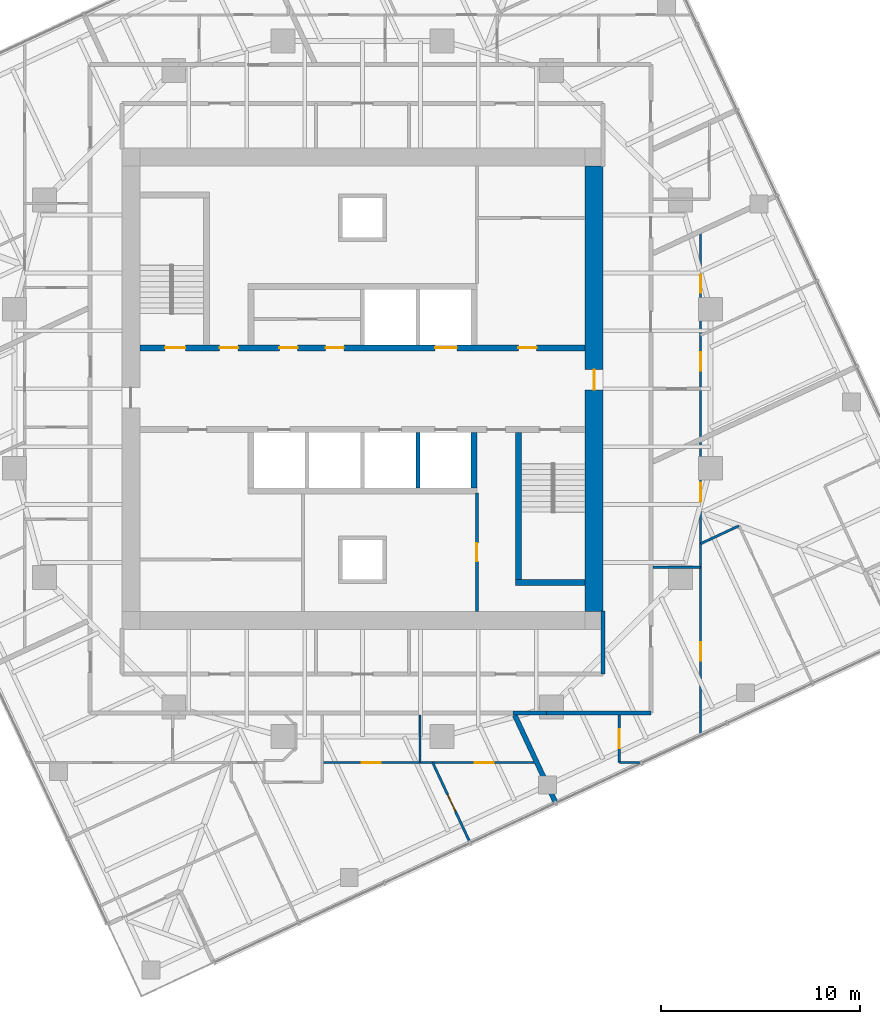
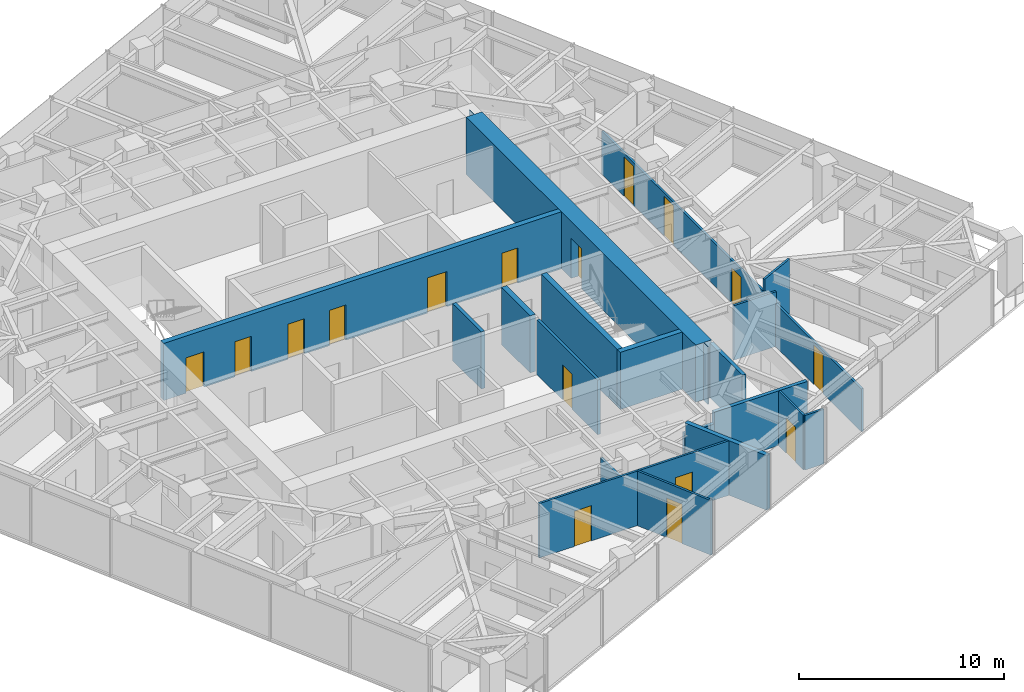
# One storey, part 9 of 13: 19 walls, 16 doors, 16 openings.
"""IFC4 building model written with IfcOpenShell, lengths in metres."""

from ifc_helpers import new_model, si_unit, direction, frame, frame_2d, origin, place, context, subcontext, project, spatial, polyline, rectangle, outline, extrude, material, layer, layer_set, type_object, element, fill, save


model = new_model("IFC4")

# Units and contexts
model_context = context("Model", 3, precision=1e-05, world=origin(), true_north=direction((0.0, 1.0)))
body_context = subcontext(model_context, "Body", "Model", "MODEL_VIEW")
ifc_project = project(units=[si_unit("LENGTHUNIT", "METRE"), si_unit("AREAUNIT", "SQUARE_METRE"), si_unit("VOLUMEUNIT", "CUBIC_METRE"), si_unit("PLANEANGLEUNIT", "RADIAN"), si_unit("MASSUNIT", "GRAM", prefix="KILO")], contexts=[model_context])

# Site, building, storey
site_placement = place(None, origin())
site = spatial("IfcSite", under=ifc_project, at=site_placement, CompositionType="ELEMENT")
building_placement = place(site_placement, origin())
building = spatial("IfcBuilding", under=site, at=building_placement, Name="Torsade Residences", CompositionType="ELEMENT")
storey_placement = place(building_placement, frame((0.0, 0.0, 182.800048828125)))
storey = spatial("IfcBuildingStorey", under=building, at=storey_placement, Name="L50", CompositionType="ELEMENT", Elevation=182.800048828125)

# Wall, openings, doors
ifc_material_1 = material(Name="Concrete 80 MPa", Category="concrete")
ifc_layer_1 = layer(ifc_material_1, 0.300048828125)
ifc_layer_set_1 = layer_set([ifc_layer_1], Name="Concrete 80 MPa")
wall_type_1 = type_object("IfcWallType", Name="CORE INTERNAL WALL 300", PredefinedType="SHEAR", material=ifc_layer_set_1)
wall_1_placement = place(storey_placement, frame((28.800048828125, 32.050048828125, 0.0), z_axis=(0.0, 0.0, 1.0), x_axis=(1.0, 0.0, 0.0)))
wall_1 = element("IfcWall", 1, at=wall_1_placement, inside=storey, type_object=wall_type_1, Name="Core wall LN L50", PredefinedType="SHEAR", context=body_context, shape_type="SweptSolid", body=[
    extrude(rectangle(XDim=22.39990234375, YDim=0.300048828125, at=frame_2d((11.199951171875, 0.0))), origin(), (0.0, 0.0, 1.0), 3.39990234375),
])
opening_1_placement = place(wall_1_placement, frame((19.0400390625, 0.0, 0.0)))
opening_1 = element("IfcOpeningElement", 2, at=opening_1_placement, cuts=wall_1, Name="Opening D06", PredefinedType="OPENING", context=body_context, shape_type="SweptSolid", body=[
    extrude(rectangle(XDim=0.919921875, YDim=2.10009765625, at=frame_2d((0.4599609375, 1.050048828125))), frame((0.0, 0.159912109375, 0.0), z_axis=(0.0, -1.0, 0.0), x_axis=(1.0, 0.0, 0.0)), (0.0, 0.0, 1.0), 0.320068359375),
])
opening_2_placement = place(wall_1_placement, frame((1.264892578125, 0.0, 0.0)))
opening_2 = element("IfcOpeningElement", 3, at=opening_2_placement, cuts=wall_1, Name="Opening D03", PredefinedType="OPENING", context=body_context, shape_type="SweptSolid", body=[
    extrude(rectangle(XDim=1.02001953125, YDim=2.10009765625, at=frame_2d((0.510009765625, 1.050048828125))), frame((0.0, 0.159912109375, 0.0), z_axis=(0.0, -1.0, 0.0), x_axis=(1.0, 0.0, 0.0)), (0.0, 0.0, 1.0), 0.320068359375),
])
opening_3_placement = place(wall_1_placement, frame((4.014892578125, 0.0, 0.0)))
opening_3 = element("IfcOpeningElement", 4, at=opening_3_placement, cuts=wall_1, Name="Opening D06", PredefinedType="OPENING", context=body_context, shape_type="SweptSolid", body=[
    extrude(rectangle(XDim=0.919921875, YDim=2.10009765625, at=frame_2d((0.4599609375, 1.050048828125))), frame((0.0, 0.159912109375, 0.0), z_axis=(0.0, -1.0, 0.0), x_axis=(1.0, 0.0, 0.0)), (0.0, 0.0, 1.0), 0.320068359375),
])
opening_4_placement = place(wall_1_placement, frame((7.014892578125, 0.0, 0.0)))
opening_4 = element("IfcOpeningElement", 5, at=opening_4_placement, cuts=wall_1, Name="Opening D06", PredefinedType="OPENING", context=body_context, shape_type="SweptSolid", body=[
    extrude(rectangle(XDim=0.919921875, YDim=2.10009765625, at=frame_2d((0.4599609375, 1.050048828125))), frame((0.0, 0.159912109375, 0.0), z_axis=(0.0, -1.0, 0.0), x_axis=(1.0, 0.0, 0.0)), (0.0, 0.0, 1.0), 0.320068359375),
])
opening_5_placement = place(wall_1_placement, frame((9.340087890625, 0.0, 0.0)))
opening_5 = element("IfcOpeningElement", 6, at=opening_5_placement, cuts=wall_1, Name="Opening D06", PredefinedType="OPENING", context=body_context, shape_type="SweptSolid", body=[
    extrude(rectangle(XDim=0.919921875, YDim=2.10009765625, at=frame_2d((0.4599609375, 1.050048828125))), frame((0.0, 0.159912109375, 0.0), z_axis=(0.0, -1.0, 0.0), x_axis=(1.0, 0.0, 0.0)), (0.0, 0.0, 1.0), 0.320068359375),
])
opening_6_placement = place(wall_1_placement, frame((14.85009765625, 0.0, 0.0)))
opening_6 = element("IfcOpeningElement", 7, at=opening_6_placement, cuts=wall_1, Name="Opening LD", PredefinedType="OPENING", context=body_context, shape_type="SweptSolid", body=[
    extrude(rectangle(XDim=1.10009765625, YDim=2.10009765625, at=frame_2d((0.550048828125, 1.050048828125))), frame((0.0, 0.159912109375, 0.0), z_axis=(0.0, -1.0, 0.0), x_axis=(1.0, 0.0, 0.0)), (0.0, 0.0, 1.0), 0.320068359375),
])
ifc_material_2 = material(Name="Steel-framed fire door", Category="steel")
door_type_1 = type_object("IfcDoorType", Name="FIRE DOOR 1020", OperationType="NOTDEFINED", PredefinedType="DOOR", material=ifc_material_2)
door_1_placement = place(opening_2_placement, origin())
door_1 = element("IfcDoor", 8, at=door_1_placement, inside=storey, type_object=door_type_1, Name="Exit door to fire-isolated stair ST1 L50", OperationType="SINGLE_SWING_RIGHT", OverallHeight=2.10009765625, OverallWidth=1.02001953125, PredefinedType="DOOR", context=body_context, shape_type="SweptSolid", body=[
    extrude(rectangle(XDim=1.02001953125, YDim=2.10009765625, at=frame_2d((0.510009765625, 1.050048828125))), frame((0.0, 0.02490234375, 0.0), z_axis=(0.0, -1.0, 0.0), x_axis=(1.0, 0.0, 0.0)), (0.0, 0.0, 1.0), 0.050048828125),
])
fill(opening_2, door_1)
ifc_material_3 = material(Name="Steel-framed fire door", Category="steel")
door_type_2 = type_object("IfcDoorType", Name="FIRE DOOR 920", OperationType="NOTDEFINED", PredefinedType="DOOR", material=ifc_material_3)
door_2_placement = place(opening_1_placement, origin())
door_2 = element("IfcDoor", 9, at=door_2_placement, inside=storey, type_object=door_type_2, Name="Door Lift lobby to Refuse room", OperationType="SINGLE_SWING_LEFT", OverallHeight=2.10009765625, OverallWidth=0.919921875, PredefinedType="DOOR", context=body_context, shape_type="SweptSolid", body=[
    extrude(rectangle(XDim=0.919921875, YDim=2.10009765625, at=frame_2d((0.4599609375, 1.050048828125))), frame((0.0, 0.02490234375, 0.0), z_axis=(0.0, -1.0, 0.0), x_axis=(1.0, 0.0, 0.0)), (0.0, 0.0, 1.0), 0.050048828125),
])
fill(opening_1, door_2)
door_3_placement = place(opening_3_placement, origin())
door_3 = element("IfcDoor", 10, at=door_3_placement, inside=storey, type_object=door_type_2, Name="Door Lift lobby to Electrical riser room", OperationType="SINGLE_SWING_LEFT", OverallHeight=2.10009765625, OverallWidth=0.919921875, PredefinedType="DOOR", context=body_context, shape_type="SweptSolid", body=[
    extrude(rectangle(XDim=0.919921875, YDim=2.10009765625, at=frame_2d((0.4599609375, 1.050048828125))), frame((0.0, 0.02490234375, 0.0), z_axis=(0.0, -1.0, 0.0), x_axis=(1.0, 0.0, 0.0)), (0.0, 0.0, 1.0), 0.050048828125),
])
fill(opening_3, door_3)
door_4_placement = place(opening_4_placement, origin())
door_4 = element("IfcDoor", 11, at=door_4_placement, inside=storey, type_object=door_type_2, Name="Door Lift lobby to Residents storage L50A", OperationType="SINGLE_SWING_RIGHT", OverallHeight=2.10009765625, OverallWidth=0.919921875, PredefinedType="DOOR", context=body_context, shape_type="SweptSolid", body=[
    extrude(rectangle(XDim=0.919921875, YDim=2.10009765625, at=frame_2d((0.4599609375, 1.050048828125))), frame((0.0, 0.02490234375, 0.0), z_axis=(0.0, -1.0, 0.0), x_axis=(1.0, 0.0, 0.0)), (0.0, 0.0, 1.0), 0.050048828125),
])
fill(opening_4, door_4)
door_5_placement = place(opening_5_placement, origin())
door_5 = element("IfcDoor", 12, at=door_5_placement, inside=storey, type_object=door_type_2, Name="Door Lift lobby to Residents storage L50A", OperationType="SINGLE_SWING_RIGHT", OverallHeight=2.10009765625, OverallWidth=0.919921875, PredefinedType="DOOR", context=body_context, shape_type="SweptSolid", body=[
    extrude(rectangle(XDim=0.919921875, YDim=2.10009765625, at=frame_2d((0.4599609375, 1.050048828125))), frame((0.0, 0.02490234375, 0.0), z_axis=(0.0, -1.0, 0.0), x_axis=(1.0, 0.0, 0.0)), (0.0, 0.0, 1.0), 0.050048828125),
])
fill(opening_5, door_5)
ifc_material_4 = material(Name="Stainless steel lift landing door", Category="steel")
door_type_3 = type_object("IfcDoorType", Name="LIFT LANDING DOOR 1100", OperationType="SLIDING_TO_LEFT", PredefinedType="DOOR", material=ifc_material_4)
door_6_placement = place(opening_6_placement, origin())
door_6 = element("IfcDoor", 13, at=door_6_placement, inside=storey, type_object=door_type_3, Name="Lift FL1 landing door L50", OperationType="SLIDING_TO_LEFT", OverallHeight=2.10009765625, OverallWidth=1.10009765625, PredefinedType="DOOR", context=body_context, shape_type="SweptSolid", body=[
    extrude(rectangle(XDim=1.10009765625, YDim=2.10009765625, at=frame_2d((0.550048828125, 1.050048828125))), frame((0.0, 0.02490234375, 0.0), z_axis=(0.0, -1.0, 0.0), x_axis=(1.0, 0.0, 0.0)), (0.0, 0.0, 1.0), 0.050048828125),
])
fill(opening_6, door_6)

# Walls
wall_2_placement = place(storey_placement, frame((45.60009765625, 27.800048828125, 0.0), z_axis=(0.0, 0.0, 1.0), x_axis=(0.0, -1.0, 0.0)))
element("IfcWall", 14, at=wall_2_placement, inside=storey, type_object=wall_type_1, Name="Core wall DS0 L50", PredefinedType="SHEAR", context=body_context, shape_type="SweptSolid", body=[
    extrude(rectangle(XDim=2.800048828125, YDim=0.300048828125, at=frame_2d((1.39990234375, 0.0))), origin(), (0.0, 0.0, 1.0), 3.39990234375),
])
wall_3_placement = place(storey_placement, frame((47.85009765625, 27.800048828125, 0.0), z_axis=(0.0, 0.0, 1.0), x_axis=(0.0, -1.0, 0.0)))
element("IfcWall", 15, at=wall_3_placement, inside=storey, type_object=wall_type_1, Name="Core wall ST2W L50", PredefinedType="SHEAR", context=body_context, shape_type="SweptSolid", body=[
    extrude(rectangle(XDim=7.699951171875, YDim=0.300048828125, at=frame_2d((3.85009765625, 0.0))), origin(), (0.0, 0.0, 1.0), 3.39990234375),
])
wall_4_placement = place(storey_placement, frame((51.199951171875, 20.25, 0.0), z_axis=(0.0, 0.0, 1.0), x_axis=(-1.0, 0.0, 0.0)))
element("IfcWall", 16, at=wall_4_placement, inside=storey, type_object=wall_type_1, Name="Core wall ST2S L50", PredefinedType="SHEAR", context=body_context, shape_type="SweptSolid", body=[
    extrude(rectangle(XDim=3.5, YDim=0.300048828125, at=frame_2d((1.75, 0.0))), origin(), (0.0, 0.0, 1.0), 3.39990234375),
])

# Wall, opening, door
ifc_material_5 = material(Name="Concrete 80 MPa", Category="concrete")
ifc_layer_2 = layer(ifc_material_5, 0.89990234375)
ifc_layer_set_2 = layer_set([ifc_layer_2], Name="Concrete 80 MPa")
wall_type_2 = type_object("IfcWallType", Name="CORE WALL 900", PredefinedType="SHEAR", material=ifc_layer_set_2)
wall_5_placement = place(storey_placement, frame((51.64990234375, 18.800048828125, 0.0), z_axis=(0.0, 0.0, 1.0), x_axis=(0.0, 1.0, 0.0)))
wall_5 = element("IfcWall", 17, at=wall_5_placement, inside=storey, type_object=wall_type_2, Name="Core wall E L50", PredefinedType="SHEAR", context=body_context, shape_type="SweptSolid", body=[
    extrude(outline(polyline([(0.0, -0.449951171875), (22.39990234375, -0.449951171875), (22.39990234375, -0.02490234375), (22.849853515625, -0.02490234375), (22.849853515625, 0.02490234375), (22.39990234375, 0.02490234375), (22.39990234375, 0.449951171875), (0.0, 0.449951171875), (0.0, 0.02490234375), (-0.449951171875, 0.02490234375), (-0.449951171875, -0.02490234375), (0.0, -0.02490234375), (0.0, -0.449951171875)])), origin(), (0.0, 0.0, 1.0), 3.39990234375),
])
opening_7_placement = place(wall_5_placement, frame((11.139892578125, 0.0, 0.0)))
opening_7 = element("IfcOpeningElement", 18, at=opening_7_placement, cuts=wall_5, Name="Opening D04", PredefinedType="OPENING", context=body_context, shape_type="SweptSolid", body=[
    extrude(rectangle(XDim=1.02001953125, YDim=2.39990234375, at=frame_2d((0.510009765625, 1.199951171875))), frame((0.0, 0.4599609375, 0.0), z_axis=(0.0, -1.0, 0.0), x_axis=(1.0, 0.0, 0.0)), (0.0, 0.0, 1.0), 0.919921875),
])
ifc_material_6 = material(Name="Steel-framed fire door", Category="steel")
door_type_4 = type_object("IfcDoorType", Name="LOBBY SMOKE DOOR 1020x2400", OperationType="NOTDEFINED", PredefinedType="DOOR", material=ifc_material_6)
door_7_placement = place(opening_7_placement, origin())
door_7 = element("IfcDoor", 19, at=door_7_placement, inside=storey, type_object=door_type_4, Name="Lift lobby door E L50", OperationType="SINGLE_SWING_LEFT", OverallHeight=2.39990234375, OverallWidth=1.02001953125, PredefinedType="DOOR", context=body_context, shape_type="SweptSolid", body=[
    extrude(rectangle(XDim=1.02001953125, YDim=2.39990234375, at=frame_2d((0.510009765625, 1.199951171875))), frame((0.0, 0.02490234375, 0.0), z_axis=(0.0, -1.0, 0.0), x_axis=(1.0, 0.0, 0.0)), (0.0, 0.0, 1.0), 0.050048828125),
])
fill(opening_7, door_7)

# Walls
ifc_material_7 = material(Name="Plasterboard on steel stud", Category="steel")
ifc_layer_3 = layer(ifc_material_7, 0.199951171875)
ifc_layer_set_3 = layer_set([ifc_layer_3], Name="Plasterboard on steel stud")
wall_type_3 = type_object("IfcWallType", Name="CORRIDOR WALL 200", PredefinedType="PARTITIONING", material=ifc_layer_set_3)
wall_6_placement = place(storey_placement, frame((47.558349609375, 13.699951171875, 0.0), z_axis=(0.0, 0.0, 1.0), x_axis=(1.0, 0.0, 0.0)))
element("IfcWall", 20, at=wall_6_placement, inside=storey, type_object=wall_type_3, Name="Corridor wall L50", PredefinedType="PARTITIONING", context=body_context, shape_type="SweptSolid", body=[
    extrude(rectangle(XDim=1.683349609375, YDim=0.199951171875, at=frame_2d((0.841796875, 0.0))), origin(), (0.0, 0.0, 1.0), 2.550048828125),
])
wall_7_placement = place(storey_placement, frame((49.24169921875, 13.699951171875, 0.0), z_axis=(0.0, 0.0, 1.0), x_axis=(1.0, 0.0, 0.0)))
element("IfcWall", 21, at=wall_7_placement, inside=storey, type_object=wall_type_3, Name="Corridor wall L50", PredefinedType="PARTITIONING", context=body_context, shape_type="SweptSolid", body=[
    extrude(rectangle(XDim=5.25830078125, YDim=0.199951171875, at=frame_2d((2.629150390625, 0.0))), origin(), (0.0, 0.0, 1.0), 3.25),
])
wall_8_placement = place(storey_placement, frame((52.10009765625, 15.64990234375, 0.0), z_axis=(0.0, 0.0, 1.0), x_axis=(0.0, 1.0, 0.0)))
element("IfcWall", 22, at=wall_8_placement, inside=storey, type_object=wall_type_3, Name="Corridor wall L50", PredefinedType="PARTITIONING", context=body_context, shape_type="SweptSolid", body=[
    extrude(rectangle(XDim=3.170166015625, YDim=0.199951171875, at=frame_2d((1.5849609375, 0.0))), origin(), (0.0, 0.0, 1.0), 3.25),
])
ifc_material_8 = material(Name="Reinforced blockwork", Category="masonry")
ifc_layer_4 = layer(ifc_material_8, 0.199951171875)
ifc_layer_set_4 = layer_set([ifc_layer_4], Name="Reinforced blockwork")
wall_type_4 = type_object("IfcWallType", Name="LIFT SHAFT DIVIDING WALL 200", PredefinedType="SOLIDWALL", material=ifc_layer_set_4)
wall_9_placement = place(storey_placement, frame((42.800048828125, 27.800048828125, 0.0), z_axis=(0.0, 0.0, 1.0), x_axis=(0.0, -1.0, 0.0)))
element("IfcWall", 23, at=wall_9_placement, inside=storey, type_object=wall_type_4, Name="Core wall DS1 L50", PredefinedType="SOLIDWALL", context=body_context, shape_type="SweptSolid", body=[
    extrude(rectangle(XDim=2.800048828125, YDim=0.199951171875, at=frame_2d((1.39990234375, 0.0))), origin(), (0.0, 0.0, 1.0), 3.39990234375),
])
ifc_material_9 = material(Name="Plasterboard on steel stud", Category="steel")
ifc_layer_5 = layer(ifc_material_9, 0.1201171875)
ifc_layer_set_5 = layer_set([ifc_layer_5], Name="Plasterboard on steel stud")
wall_type_5 = type_object("IfcWallType", Name="PARTITION 120", PredefinedType="PARTITIONING", material=ifc_layer_set_5)
wall_10_placement = place(storey_placement, frame((42.8916015625, 13.60009765625, 0.0), z_axis=(0.0, 0.0, 1.0), x_axis=(0.0, -1.0, 0.0)))
element("IfcWall", 24, at=wall_10_placement, inside=storey, type_object=wall_type_5, Name="Partition L50", PredefinedType="PARTITIONING", context=body_context, shape_type="SweptSolid", body=[
    extrude(rectangle(XDim=2.400146484375, YDim=0.1201171875, at=frame_2d((1.2001953125, 0.0))), origin(), (0.0, 0.0, 1.0), 2.7958984375),
])

# Wall, openings, doors
wall_11_placement = place(storey_placement, frame((48.7666015625, 11.199951171875, 0.0), z_axis=(0.0, 0.0, 1.0), x_axis=(-1.0, 0.0, 0.0)))
wall_11 = element("IfcWall", 25, at=wall_11_placement, inside=storey, type_object=wall_type_5, Name="Partition L50", PredefinedType="PARTITIONING", context=body_context, shape_type="SweptSolid", body=[
    extrude(rectangle(XDim=10.792724609375, YDim=0.1201171875, at=frame_2d((5.396484375, 0.0))), origin(), (0.0, 0.0, 1.0), 3.25),
])
opening_8_placement = place(wall_11_placement, frame((7.853759765625, 0.0, 0.0)))
opening_8 = element("IfcOpeningElement", 26, at=opening_8_placement, cuts=wall_11, Name="Opening D05", PredefinedType="OPENING", context=body_context, shape_type="SweptSolid", body=[
    extrude(rectangle(XDim=0.9599609375, YDim=2.10009765625, at=frame_2d((0.47998046875, 1.050048828125))), frame((0.0, 0.070068359375, 0.0), z_axis=(0.0, -1.0, 0.0), x_axis=(1.0, 0.0, 0.0)), (0.0, 0.0, 1.0), 0.14013671875),
])
opening_9_placement = place(wall_11_placement, frame((2.16796875, 0.0, 0.0)))
opening_9 = element("IfcOpeningElement", 27, at=opening_9_placement, cuts=wall_11, Name="Opening D05", PredefinedType="OPENING", context=body_context, shape_type="SweptSolid", body=[
    extrude(rectangle(XDim=0.9599609375, YDim=2.10009765625, at=frame_2d((0.47998046875, 1.050048828125))), frame((0.0, 0.070068359375, 0.0), z_axis=(0.0, -1.0, 0.0), x_axis=(1.0, 0.0, 0.0)), (0.0, 0.0, 1.0), 0.14013671875),
])
ifc_material_10 = material(Name="Hollow-core timber door in a steel cavity frame", Category="steel")
door_type_5 = type_object("IfcDoorType", Name="BATHROOM CAVITY SLIDING DOOR 960", OperationType="SLIDING_TO_LEFT", PredefinedType="DOOR", material=ifc_material_10)
door_8_placement = place(opening_8_placement, origin())
door_8 = element("IfcDoor", 28, at=door_8_placement, inside=storey, type_object=door_type_5, Name="Door Living room to Bathroom", OperationType="SLIDING_TO_LEFT", OverallHeight=2.10009765625, OverallWidth=0.9599609375, PredefinedType="DOOR", context=body_context, shape_type="SweptSolid", body=[
    extrude(rectangle(XDim=0.9599609375, YDim=2.10009765625, at=frame_2d((0.47998046875, 1.050048828125))), frame((0.0, 0.02490234375, 0.0), z_axis=(0.0, -1.0, 0.0), x_axis=(1.0, 0.0, 0.0)), (0.0, 0.0, 1.0), 0.050048828125),
])
fill(opening_8, door_8)
door_9_placement = place(opening_9_placement, origin())
door_9 = element("IfcDoor", 29, at=door_9_placement, inside=storey, type_object=door_type_5, Name="Door Study 2 to Ensuite", OperationType="SLIDING_TO_LEFT", OverallHeight=2.10009765625, OverallWidth=0.9599609375, PredefinedType="DOOR", context=body_context, shape_type="SweptSolid", body=[
    extrude(rectangle(XDim=0.9599609375, YDim=2.10009765625, at=frame_2d((0.47998046875, 1.050048828125))), frame((0.0, 0.02490234375, 0.0), z_axis=(0.0, -1.0, 0.0), x_axis=(1.0, 0.0, 0.0)), (0.0, 0.0, 1.0), 0.050048828125),
])
fill(opening_9, door_9)

# Wall, opening, door
wall_12_placement = place(storey_placement, frame((43.525634765625, 11.199951171875, 0.0), z_axis=(0.0, 0.0, 1.0), x_axis=(0.422629078519, -0.906302743011, 0.0)))
wall_12 = element("IfcWall", 30, at=wall_12_placement, inside=storey, type_object=wall_type_5, Name="Partition L50", PredefinedType="PARTITIONING", context=body_context, shape_type="SweptSolid", body=[
    extrude(rectangle(XDim=4.431396484375, YDim=0.1201171875, at=frame_2d((2.2158203125, 0.0))), origin(), (0.0, 0.0, 1.0), 3.25),
])
opening_10_placement = place(wall_12_placement, frame((1.775634765625, 0.0, 0.0)))
opening_10 = element("IfcOpeningElement", 31, at=opening_10_placement, cuts=wall_12, Name="Opening D02", PredefinedType="OPENING", context=body_context, shape_type="SweptSolid", body=[
    extrude(rectangle(XDim=0.919921875, YDim=2.340087890625, at=frame_2d((0.4599609375, 1.169921875))), frame((0.0, 0.070068359375, 0.0), z_axis=(0.0, -1.0, 0.0), x_axis=(1.0, 0.0, 0.0)), (0.0, 0.0, 1.0), 0.14013671875),
])
ifc_material_11 = material(Name="Hollow-core timber door", Category="wood")
door_type_6 = type_object("IfcDoorType", Name="INTERNAL DOOR 920x2340", OperationType="NOTDEFINED", PredefinedType="DOOR", material=ifc_material_11)
door_10_placement = place(opening_10_placement, origin())
door_10 = element("IfcDoor", 32, at=door_10_placement, inside=storey, type_object=door_type_6, Name="Door Living room to Study 2", OperationType="SINGLE_SWING_LEFT", OverallHeight=2.340087890625, OverallWidth=0.919921875, PredefinedType="DOOR", context=body_context, shape_type="SweptSolid", body=[
    extrude(rectangle(XDim=0.919921875, YDim=2.340087890625, at=frame_2d((0.4599609375, 1.169921875))), frame((0.0, 0.02490234375, 0.0), z_axis=(0.0, -1.0, 0.0), x_axis=(1.0, 0.0, 0.0)), (0.0, 0.0, 1.0), 0.050048828125),
])
fill(opening_10, door_10)

# Walls
wall_13_placement = place(storey_placement, frame((54.60009765625, 21.022705078125, 0.0), z_axis=(0.0, 0.0, 1.0), x_axis=(1.0, 0.0, 0.0)))
element("IfcWall", 33, at=wall_13_placement, inside=storey, type_object=wall_type_5, Name="Partition L50", PredefinedType="PARTITIONING", context=body_context, shape_type="SweptSolid", body=[
    extrude(rectangle(XDim=2.39990234375, YDim=0.1201171875, at=frame_2d((1.199951171875, 0.0))), origin(), (0.0, 0.0, 1.0), 3.25),
])
wall_14_placement = place(storey_placement, frame((54.01123046875, 11.199951171875, 0.0), z_axis=(0.0, 0.0, 1.0), x_axis=(-1.0, 0.0, 0.0)))
element("IfcWall", 34, at=wall_14_placement, inside=storey, type_object=wall_type_5, Name="Partition L50", PredefinedType="PARTITIONING", context=body_context, shape_type="SweptSolid", body=[
    extrude(rectangle(XDim=1.093994140625, YDim=0.1201171875, at=frame_2d((0.546875, 0.0))), origin(), (0.0, 0.0, 1.0), 3.25),
])

# Wall, opening, door
wall_15_placement = place(storey_placement, frame((52.917236328125, 11.199951171875, 0.0), z_axis=(0.0, 0.0, 1.0), x_axis=(0.0, 1.0, 0.0)))
wall_15 = element("IfcWall", 35, at=wall_15_placement, inside=storey, type_object=wall_type_5, Name="Partition L50", PredefinedType="PARTITIONING", context=body_context, shape_type="SweptSolid", body=[
    extrude(rectangle(XDim=2.400146484375, YDim=0.1201171875, at=frame_2d((1.2001953125, 0.0))), origin(), (0.0, 0.0, 1.0), 3.25),
])
opening_11_placement = place(wall_15_placement, frame((0.719970703125, 0.0, 0.0)))
opening_11 = element("IfcOpeningElement", 36, at=opening_11_placement, cuts=wall_15, Name="Opening D05", PredefinedType="OPENING", context=body_context, shape_type="SweptSolid", body=[
    extrude(rectangle(XDim=0.9599609375, YDim=2.10009765625, at=frame_2d((0.47998046875, 1.050048828125))), frame((0.0, 0.070068359375, 0.0), z_axis=(0.0, -1.0, 0.0), x_axis=(1.0, 0.0, 0.0)), (0.0, 0.0, 1.0), 0.14013671875),
])
door_11_placement = place(opening_11_placement, origin())
door_11 = element("IfcDoor", 37, at=door_11_placement, inside=storey, type_object=door_type_5, Name="Door Kitchen and dining to Ensuite", OperationType="SLIDING_TO_LEFT", OverallHeight=2.10009765625, OverallWidth=0.9599609375, PredefinedType="DOOR", context=body_context, shape_type="SweptSolid", body=[
    extrude(rectangle(XDim=0.9599609375, YDim=2.10009765625, at=frame_2d((0.47998046875, 1.050048828125))), frame((0.0, 0.02490234375, 0.0), z_axis=(0.0, -1.0, 0.0), x_axis=(1.0, 0.0, 0.0)), (0.0, 0.0, 1.0), 0.050048828125),
])
fill(opening_11, door_11)

# Wall, openings, doors
wall_16_placement = place(storey_placement, frame((57.0, 37.92724609375, 0.0), z_axis=(0.0, 0.0, 1.0), x_axis=(0.0, -1.0, 0.0)))
wall_16 = element("IfcWall", 38, at=wall_16_placement, inside=storey, type_object=wall_type_5, Name="Partition L50", PredefinedType="PARTITIONING", context=body_context, shape_type="SweptSolid", body=[
    extrude(rectangle(XDim=25.33349609375, YDim=0.1201171875, at=frame_2d((12.666748046875, 0.0))), origin(), (0.0, 0.0, 1.0), 2.550048828125),
])
opening_12_placement = place(wall_16_placement, frame((20.68115234375, 0.0, 0.0)))
opening_12 = element("IfcOpeningElement", 39, at=opening_12_placement, cuts=wall_16, Name="Opening D02", PredefinedType="OPENING", context=body_context, shape_type="SweptSolid", body=[
    extrude(rectangle(XDim=0.919921875, YDim=2.340087890625, at=frame_2d((0.4599609375, 1.169921875))), frame((0.0, 0.070068359375, 0.0), z_axis=(0.0, -1.0, 0.0), x_axis=(1.0, 0.0, 0.0)), (0.0, 0.0, 1.0), 0.14013671875),
])
opening_13_placement = place(wall_16_placement, frame((2.18798828125, 0.0, 0.0)))
opening_13 = element("IfcOpeningElement", 40, at=opening_13_placement, cuts=wall_16, Name="Opening D02", PredefinedType="OPENING", context=body_context, shape_type="SweptSolid", body=[
    extrude(rectangle(XDim=0.919921875, YDim=2.340087890625, at=frame_2d((0.4599609375, 1.169921875))), frame((0.0, 0.070068359375, 0.0), z_axis=(0.0, -1.0, 0.0), x_axis=(1.0, 0.0, 0.0)), (0.0, 0.0, 1.0), 0.14013671875),
])
opening_14_placement = place(wall_16_placement, frame((6.09619140625, 0.0, 0.0)))
opening_14 = element("IfcOpeningElement", 41, at=opening_14_placement, cuts=wall_16, Name="Opening D02", PredefinedType="OPENING", context=body_context, shape_type="SweptSolid", body=[
    extrude(rectangle(XDim=0.919921875, YDim=2.340087890625, at=frame_2d((0.4599609375, 1.169921875))), frame((0.0, 0.070068359375, 0.0), z_axis=(0.0, -1.0, 0.0), x_axis=(1.0, 0.0, 0.0)), (0.0, 0.0, 1.0), 0.14013671875),
])
opening_15_placement = place(wall_16_placement, frame((12.650146484375, 0.0, 0.0)))
opening_15 = element("IfcOpeningElement", 42, at=opening_15_placement, cuts=wall_16, Name="Opening D05", PredefinedType="OPENING", context=body_context, shape_type="SweptSolid", body=[
    extrude(rectangle(XDim=0.9599609375, YDim=2.10009765625, at=frame_2d((0.47998046875, 1.050048828125))), frame((0.0, 0.070068359375, 0.0), z_axis=(0.0, -1.0, 0.0), x_axis=(1.0, 0.0, 0.0)), (0.0, 0.0, 1.0), 0.14013671875),
])
door_12_placement = place(opening_15_placement, origin())
door_12 = element("IfcDoor", 43, at=door_12_placement, inside=storey, type_object=door_type_5, Name="Door Living room to Bathroom", OperationType="SLIDING_TO_LEFT", OverallHeight=2.10009765625, OverallWidth=0.9599609375, PredefinedType="DOOR", context=body_context, shape_type="SweptSolid", body=[
    extrude(rectangle(XDim=0.9599609375, YDim=2.10009765625, at=frame_2d((0.47998046875, 1.050048828125))), frame((0.0, 0.02490234375, 0.0), z_axis=(0.0, -1.0, 0.0), x_axis=(1.0, 0.0, 0.0)), (0.0, 0.0, 1.0), 0.050048828125),
])
fill(opening_15, door_12)
door_13_placement = place(opening_12_placement, origin())
door_13 = element("IfcDoor", 44, at=door_13_placement, inside=storey, type_object=door_type_6, Name="Door Kitchen and dining to Bedroom 1", OperationType="SINGLE_SWING_RIGHT", OverallHeight=2.340087890625, OverallWidth=0.919921875, PredefinedType="DOOR", context=body_context, shape_type="SweptSolid", body=[
    extrude(rectangle(XDim=0.919921875, YDim=2.340087890625, at=frame_2d((0.4599609375, 1.169921875))), frame((0.0, 0.02490234375, 0.0), z_axis=(0.0, -1.0, 0.0), x_axis=(1.0, 0.0, 0.0)), (0.0, 0.0, 1.0), 0.050048828125),
])
fill(opening_12, door_13)
door_14_placement = place(opening_13_placement, origin())
door_14 = element("IfcDoor", 45, at=door_14_placement, inside=storey, type_object=door_type_6, Name="Door Kitchen and dining to Bedroom 1", OperationType="SINGLE_SWING_RIGHT", OverallHeight=2.340087890625, OverallWidth=0.919921875, PredefinedType="DOOR", context=body_context, shape_type="SweptSolid", body=[
    extrude(rectangle(XDim=0.919921875, YDim=2.340087890625, at=frame_2d((0.4599609375, 1.169921875))), frame((0.0, 0.02490234375, 0.0), z_axis=(0.0, -1.0, 0.0), x_axis=(1.0, 0.0, 0.0)), (0.0, 0.0, 1.0), 0.050048828125),
])
fill(opening_13, door_14)
door_15_placement = place(opening_14_placement, origin())
door_15 = element("IfcDoor", 46, at=door_15_placement, inside=storey, type_object=door_type_6, Name="Door Kitchen and dining to Living room", OperationType="SINGLE_SWING_LEFT", OverallHeight=2.340087890625, OverallWidth=0.919921875, PredefinedType="DOOR", context=body_context, shape_type="SweptSolid", body=[
    extrude(rectangle(XDim=0.919921875, YDim=2.340087890625, at=frame_2d((0.4599609375, 1.169921875))), frame((0.0, 0.02490234375, 0.0), z_axis=(0.0, -1.0, 0.0), x_axis=(1.0, 0.0, 0.0)), (0.0, 0.0, 1.0), 0.050048828125),
])
fill(opening_14, door_15)

# Walls
wall_17_placement = place(storey_placement, frame((58.92822265625, 23.103271484375, 0.0), z_axis=(0.0, 0.0, 1.0), x_axis=(-0.90630329877, -0.422627886727, 0.0)))
element("IfcWall", 47, at=wall_17_placement, inside=storey, type_object=wall_type_5, Name="Partition L50", PredefinedType="PARTITIONING", context=body_context, shape_type="SweptSolid", body=[
    extrude(rectangle(XDim=2.127685546875, YDim=0.1201171875, at=frame_2d((1.06396484375, 0.0))), origin(), (0.0, 0.0, 1.0), 3.25),
])
ifc_material_12 = material(Name="Masonry-lined stud party wall", Category="masonry")
ifc_layer_6 = layer(ifc_material_12, 0.25)
ifc_layer_set_6 = layer_set([ifc_layer_6], Name="Masonry-lined stud party wall")
wall_type_6 = type_object("IfcWallType", Name="PARTY WALL 250", PredefinedType="PARTITIONING", material=ifc_layer_set_6)
wall_18_placement = place(storey_placement, frame((49.72021484375, 9.155029296875, 0.0), z_axis=(0.0, 0.0, 1.0), x_axis=(-0.422603708115, 0.906314573362, 0.0)))
element("IfcWall", 48, at=wall_18_placement, inside=storey, type_object=wall_type_6, Name="Party wall L50", PredefinedType="PARTITIONING", context=body_context, shape_type="SweptSolid", body=[
    extrude(rectangle(XDim=4.88623046875, YDim=0.25, at=frame_2d((2.443115234375, 0.0))), origin(), (0.0, 0.0, 1.0), 3.25),
])

# Wall, opening, door
ifc_material_13 = material(Name="Reinforced blockwork", Category="masonry")
ifc_layer_7 = layer(ifc_material_13, 0.14990234375)
ifc_layer_set_7 = layer_set([ifc_layer_7], Name="Reinforced blockwork")
wall_type_7 = type_object("IfcWallType", Name="SERVICE ROOM WALL 150", PredefinedType="SOLIDWALL", material=ifc_layer_set_7)
wall_19_placement = place(storey_placement, frame((45.75, 18.800048828125, 0.0), z_axis=(0.0, 0.0, 1.0), x_axis=(0.0, 1.0, 0.0)))
wall_19 = element("IfcWall", 49, at=wall_19_placement, inside=storey, type_object=wall_type_7, Name="Service room wall L50", PredefinedType="SOLIDWALL", context=body_context, shape_type="SweptSolid", body=[
    extrude(rectangle(XDim=5.949951171875, YDim=0.14990234375, at=frame_2d((2.97509765625, 0.0))), origin(), (0.0, 0.0, 1.0), 3.25),
])
opening_16_placement = place(wall_19_placement, frame((2.514892578125, 0.0, 0.0)))
opening_16 = element("IfcOpeningElement", 50, at=opening_16_placement, cuts=wall_19, Name="Opening D06", PredefinedType="OPENING", context=body_context, shape_type="SweptSolid", body=[
    extrude(rectangle(XDim=0.919921875, YDim=2.10009765625, at=frame_2d((0.4599609375, 1.050048828125))), frame((0.0, 0.0849609375, 0.0), z_axis=(0.0, -1.0, 0.0), x_axis=(1.0, 0.0, 0.0)), (0.0, 0.0, 1.0), 0.169921875),
])
door_16_placement = place(opening_16_placement, origin())
door_16 = element("IfcDoor", 51, at=door_16_placement, inside=storey, type_object=door_type_2, Name="Door Communications equipment store to Communications riser room", OperationType="SINGLE_SWING_LEFT", OverallHeight=2.10009765625, OverallWidth=0.919921875, PredefinedType="DOOR", context=body_context, shape_type="SweptSolid", body=[
    extrude(rectangle(XDim=0.919921875, YDim=2.10009765625, at=frame_2d((0.4599609375, 1.050048828125))), frame((0.0, 0.02490234375, 0.0), z_axis=(0.0, -1.0, 0.0), x_axis=(1.0, 0.0, 0.0)), (0.0, 0.0, 1.0), 0.050048828125),
])
fill(opening_16, door_16)

save(model, "model.ifc")
